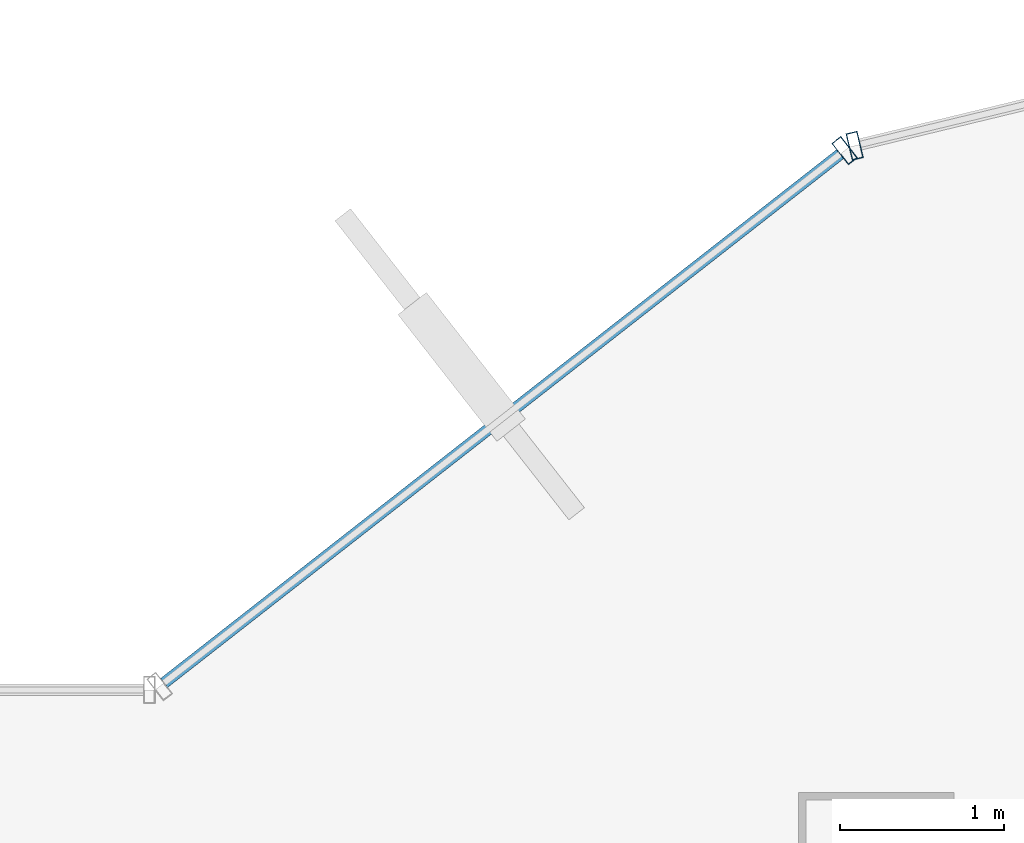
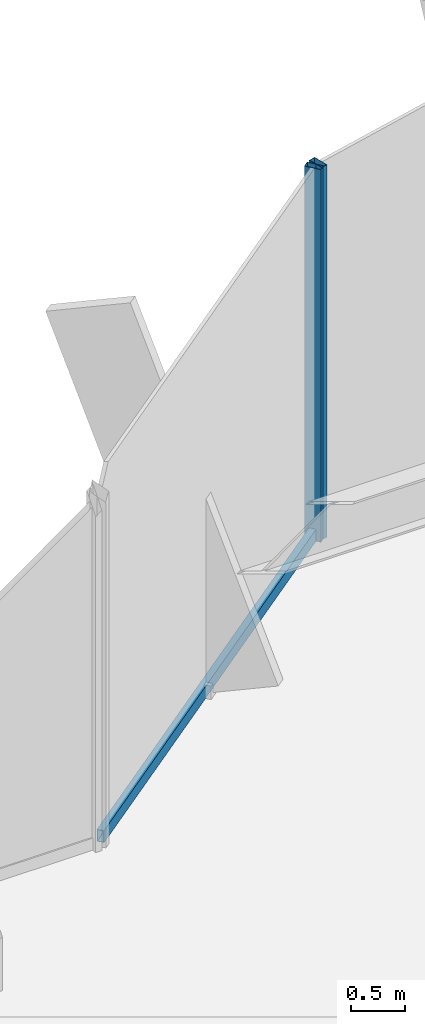
# One storey, part 18 of 35: 3 members, 2 elements without a shape of their own.
"""IFC4 building model written with IfcOpenShell, lengths in metres."""

from ifc_helpers import new_model, si_unit, derived_unit, direction, frame, origin, origin_2d, place, context, subcontext, project, spatial, hollow_rectangle, extrude, source, transform, mapped, material, material_profile, profile_set, type_object, element, aggregate, save


model = new_model("IFC4")

# Units and contexts
model_context = context("Model", 3, precision=1e-05, world=origin(), true_north=direction((0.0, 1.0)))
body_context = subcontext(model_context, "Body", "Model", "MODEL_VIEW")
ifc_project = project(units=[si_unit("LENGTHUNIT", "METRE"), si_unit("AREAUNIT", "SQUARE_METRE"), si_unit("VOLUMEUNIT", "CUBIC_METRE"), si_unit("PLANEANGLEUNIT", "RADIAN"), si_unit("MASSUNIT", "GRAM", prefix="KILO"), derived_unit("THERMALTRANSMITTANCEUNIT", [(si_unit("POWERUNIT", "WATT"), 1), (si_unit("LENGTHUNIT", "METRE"), -2), (si_unit("THERMODYNAMICTEMPERATUREUNIT", "KELVIN"), -1)])], contexts=[model_context])

# Site, building, storey
site_placement = place(None, origin())
site = spatial("IfcSite", under=ifc_project, at=site_placement, CompositionType="ELEMENT")
building_placement = place(site_placement, origin())
building = spatial("IfcBuilding", under=site, at=building_placement, Name="Skarnbrae Concourse Arena and Tower", CompositionType="ELEMENT")
storey_placement = place(building_placement, frame((0.0, 0.0, 79.949951171875)))
storey = spatial("IfcBuildingStorey", under=building, at=storey_placement, Name="L19", CompositionType="ELEMENT", Elevation=79.949951171875)

# Curtain wall, member
ifc_material = material(Name="Bronze anodised aluminium 6063-T6", Category="aluminium")
curtain_wall_type = type_object("IfcCurtainWallType", Name="CW-SYS-06-SKYLOBBY", PredefinedType="USERDEFINED", material=ifc_material)
curtain_wall_1_placement = place(storey_placement, origin())
curtain_wall_1 = element("IfcCurtainWall", 1, at=curtain_wall_1_placement, inside=storey, type_object=curtain_wall_type, Name="L19 Unitised curtain wall CW-L19-E14", ObjectType="UNITISED CURTAIN WALL", PredefinedType="USERDEFINED")
ifc_material_profile_1 = material_profile(ifc_material, hollow_rectangle(XDim=0.070068359375, YDim=0.1650390625, WallThickness=0.00390625, at=origin_2d()), Name="ALU-MULL-70X165")
ifc_profile_set_1 = profile_set([ifc_material_profile_1], Name="Bronze anodised aluminium 6063-T6")
member_type_1 = type_object("IfcMemberType", Name="CWM-CW-06", PredefinedType="MULLION", material=ifc_profile_set_1)
shared_shape_1 = source(origin(), body_context, "Body", "SweptSolid", [
    extrude(hollow_rectangle(XDim=0.070068359375, YDim=0.1650390625, WallThickness=0.00390625, at=origin_2d()), origin(), (0.0, 0.0, 1.0), 4.199951171875),
])
member_1_placement = place(storey_placement, frame((14.267578125, 44.81982421875, 0.0), z_axis=(0.0, 0.0, 1.0), x_axis=(-0.971973721569, -0.235089524607, 0.0)))
member_1 = element("IfcMember", 2, at=member_1_placement, type_object=member_type_1, Name="CW-L19-E14 Mullion 2", PredefinedType="MULLION", context=body_context, shape_type="MappedRepresentation", body=[
    mapped(shared_shape_1, transform((0.0, 0.0, 0.0))),
])
aggregate(curtain_wall_1, [member_1])

# Curtain wall, members
curtain_wall_2_placement = place(storey_placement, origin())
curtain_wall_2 = element("IfcCurtainWall", 3, at=curtain_wall_2_placement, inside=storey, type_object=curtain_wall_type, Name="L19 Unitised curtain wall CW-L19-E15", ObjectType="UNITISED CURTAIN WALL", PredefinedType="USERDEFINED")
member_2_placement = place(storey_placement, frame((14.2060546875, 44.7900390625, 0.0), z_axis=(0.0, 0.0, 1.0), x_axis=(-0.787651726054, -0.616120733658, 0.0)))
member_2 = element("IfcMember", 4, at=member_2_placement, type_object=member_type_1, Name="CW-L19-E15 Mullion 1", PredefinedType="MULLION", context=body_context, shape_type="MappedRepresentation", body=[
    mapped(shared_shape_1, transform((0.0, 0.0, 0.0))),
])
ifc_material_profile_2 = material_profile(ifc_material, hollow_rectangle(XDim=0.070068359375, YDim=0.135009765625, WallThickness=0.00390625, at=origin_2d()), Name="ALU-TRAN-70X135")
ifc_profile_set_2 = profile_set([ifc_material_profile_2], Name="Bronze anodised aluminium 6063-T6")
member_type_2 = type_object("IfcMemberType", Name="CWT-CW-06", PredefinedType="USERDEFINED", material=ifc_profile_set_2)
shared_shape_2 = source(origin(), body_context, "Body", "SweptSolid", [
    extrude(hollow_rectangle(XDim=0.070068359375, YDim=0.135009765625, WallThickness=0.00390625, at=origin_2d()), origin(), (0.0, 0.0, 1.0), 5.235107421875),
])
member_3_placement = place(storey_placement, frame((14.1787109375, 44.7685546875, 0.067626953125), z_axis=(-0.787669317149, -0.616098244456, 0.0), x_axis=(0.616098244456, -0.787669317149, 0.0)))
member_3 = element("IfcMember", 5, at=member_3_placement, type_object=member_type_2, Name="CW-L19-E15 Transom 1", ObjectType="TRANSOM", PredefinedType="USERDEFINED", context=body_context, shape_type="MappedRepresentation", body=[
    mapped(shared_shape_2, transform((0.0, 0.0, 0.0))),
])
aggregate(curtain_wall_2, [member_2, member_3])

save(model, "model.ifc")
